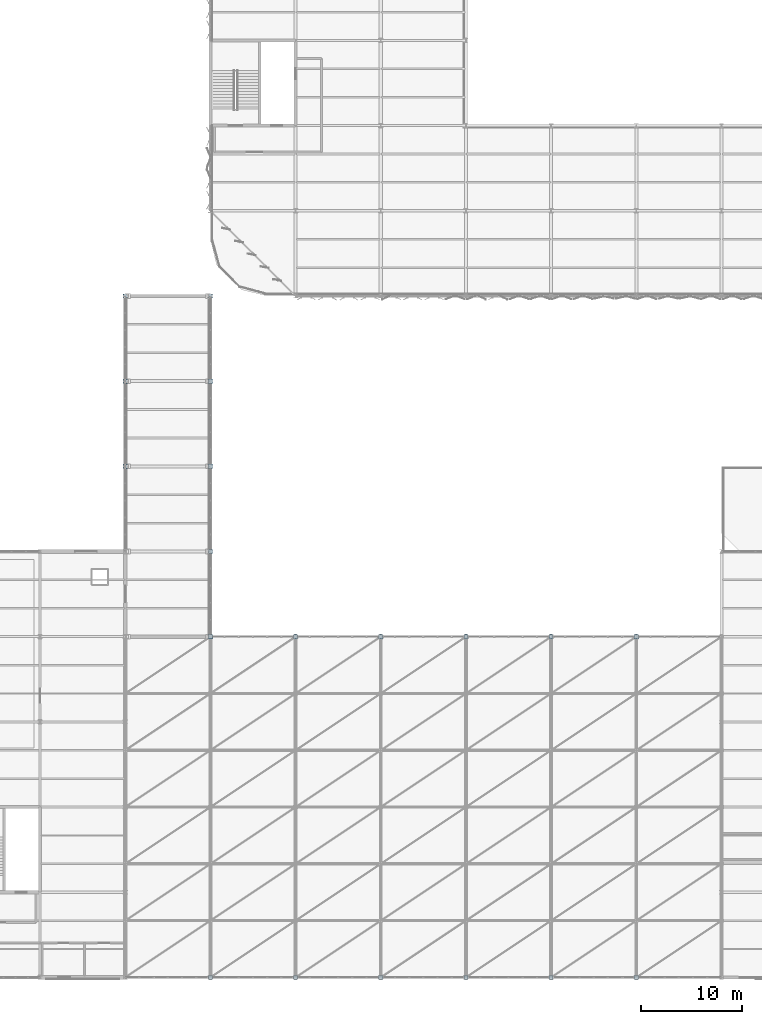
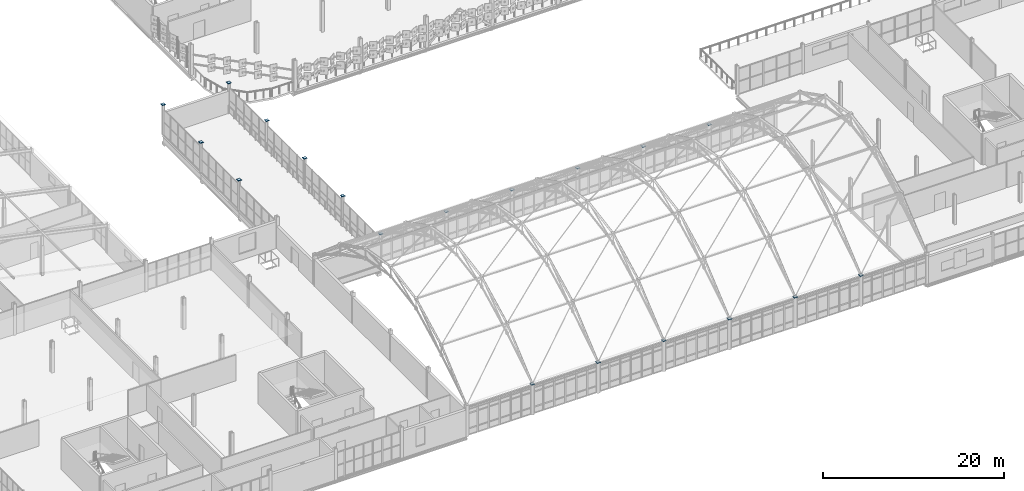
# One storey, part 152 of 184: 19 plates.
"""IFC4 building model written with IfcOpenShell, lengths in metres."""

from ifc_helpers import new_model, si_unit, direction, frame, origin, origin_2d, place, context, subcontext, project, spatial, rectangle, extrude, material, layer, layer_set, type_object, element, save


model = new_model("IFC4")

# Units and contexts
model_context = context("Model", 3, precision=1e-05, world=origin(), true_north=direction((0.0, 1.0)))
body_context = subcontext(model_context, "Body", "Model", "MODEL_VIEW")
ifc_project = project(units=[si_unit("LENGTHUNIT", "METRE"), si_unit("AREAUNIT", "SQUARE_METRE"), si_unit("VOLUMEUNIT", "CUBIC_METRE"), si_unit("PLANEANGLEUNIT", "RADIAN"), si_unit("MASSUNIT", "GRAM", prefix="KILO")], contexts=[model_context])

# Site, building, storey
site_placement = place(None, origin())
site = spatial("IfcSite", under=ifc_project, at=site_placement, CompositionType="ELEMENT")
building_placement = place(site_placement, origin())
building = spatial("IfcBuilding", under=site, at=building_placement, Name="Qalvenar Corner Mobility Hub", CompositionType="ELEMENT")
storey_placement = place(building_placement, frame((0.0, 0.0, 9.0)))
storey = spatial("IfcBuildingStorey", under=building, at=storey_placement, Name="L02", CompositionType="ELEMENT", Elevation=9.0)

# Plates
ifc_material = material(Name="Steel S355", Category="steel")
ifc_layer = layer(ifc_material, 0.02490234375)
ifc_layer_set = layer_set([ifc_layer], Name="Steel S355")
plate_type = type_object("IfcPlateType", Name="PLT-CAP25", PredefinedType="SHEET", material=ifc_layer_set)
for number, where, z_axis, x_axis, name in (
    (1, (50.39990234375, 50.39990234375, 4.030029296875), (0.0, 0.0, 1.0), (1.0, 0.0, 0.0), "Hollow Column Top Cap Plate L02-G7-6"),
    (2, (50.39990234375, 58.800048828125, 4.030029296875), (0.0, 0.0, 1.0), (1.0, 0.0, 0.0), "Hollow Column Top Cap Plate L02-G7-7"),
    (3, (50.39990234375, 67.199951171875, 4.030029296875), (0.0, 0.0, 1.0), (1.0, 0.0, 0.0), "Hollow Column Top Cap Plate L02-G7-8"),
    (4, (58.800048828125, 0.0, 4.06005859375), (0.0, 0.0, 1.0), (1.0, 0.0, 0.0), "Hollow Column Top Cap Plate L02-G8-0"),
    (5, (58.800048828125, 33.60009765625, 4.030029296875), (0.0, 0.0, 1.0), (1.0, 0.0, 0.0), "Hollow Column Top Cap Plate L02-G8-4"),
    (6, (58.800048828125, 42.0, 4.030029296875), (0.0, 0.0, 1.0), (1.0, 0.0, 0.0), "Hollow Column Top Cap Plate L02-G8-5"),
    (7, (58.800048828125, 50.39990234375, 4.030029296875), (0.0, 0.0, 1.0), (1.0, 0.0, 0.0), "Hollow Column Top Cap Plate L02-G8-6"),
    (8, (58.800048828125, 58.800048828125, 4.030029296875), (0.0, 0.0, 1.0), (1.0, 0.0, 0.0), "Hollow Column Top Cap Plate L02-G8-7"),
    (9, (58.800048828125, 67.199951171875, 4.030029296875), (0.0, 0.0, 1.0), (1.0, 0.0, 0.0), "Hollow Column Top Cap Plate L02-G8-8"),
    (10, (67.199951171875, 0.0, 4.06005859375), (0.0, 0.0, 1.0), (1.0, 0.0, 0.0), "Hollow Column Top Cap Plate L02-G9-0"),
    (11, (67.199951171875, 33.60009765625, 4.06005859375), (0.0, 0.0, 1.0), (1.0, 0.0, 0.0), "Hollow Column Top Cap Plate L02-G9-4"),
    (12, (75.60009765625, 0.0, 4.06005859375), (0.0, 0.0, 1.0), (1.0, 0.0, 0.0), "Hollow Column Top Cap Plate L02-G10-0"),
    (13, (75.60009765625, 33.60009765625, 4.06005859375), (0.0, 0.0, 1.0), (1.0, 0.0, 0.0), "Hollow Column Top Cap Plate L02-G10-4"),
    (14, (84.0, 0.0, 4.06005859375), (0.0, 0.0, 1.0), (1.0, 0.0, 0.0), "Hollow Column Top Cap Plate L02-G11-0"),
    (15, (84.0, 33.60009765625, 4.06005859375), (0.0, 0.0, 1.0), (1.0, 0.0, 0.0), "Hollow Column Top Cap Plate L02-G11-4"),
    (16, (92.39990234375, 0.0, 4.06005859375), (0.0, 0.0, 1.0), (1.0, 0.0, 0.0), "Hollow Column Top Cap Plate L02-G12-0"),
    (17, (92.39990234375, 33.60009765625, 4.06005859375), (0.0, 0.0, 1.0), (1.0, 0.0, 0.0), "Hollow Column Top Cap Plate L02-G12-4"),
    (18, (100.800048828125, 0.0, 4.06005859375), (0.0, 0.0, 1.0), (1.0, 0.0, 0.0), "Hollow Column Top Cap Plate L02-G13-0"),
    (19, (100.800048828125, 33.60009765625, 4.06005859375), (0.0, 0.0, 1.0), (1.0, 0.0, 0.0), "Hollow Column Top Cap Plate L02-G13-4"),
):
    element("IfcPlate", number, at=place(storey_placement, frame(where, z_axis=z_axis, x_axis=x_axis)), inside=storey, type_object=plate_type, Name=name, PredefinedType="SHEET", context=body_context, shape_type="SweptSolid", body=[
        extrude(rectangle(XDim=0.419921875, YDim=0.419921875, at=origin_2d()), origin(), (0.0, 0.0, 1.0), 0.02490234375),
    ])

save(model, "model.ifc")
